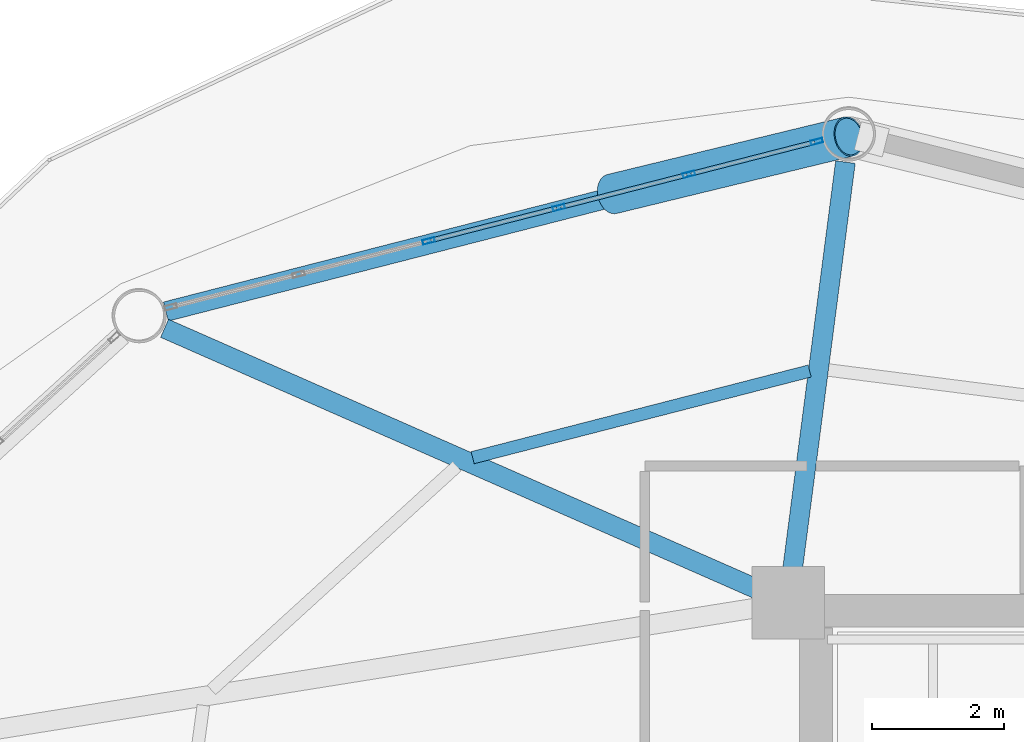
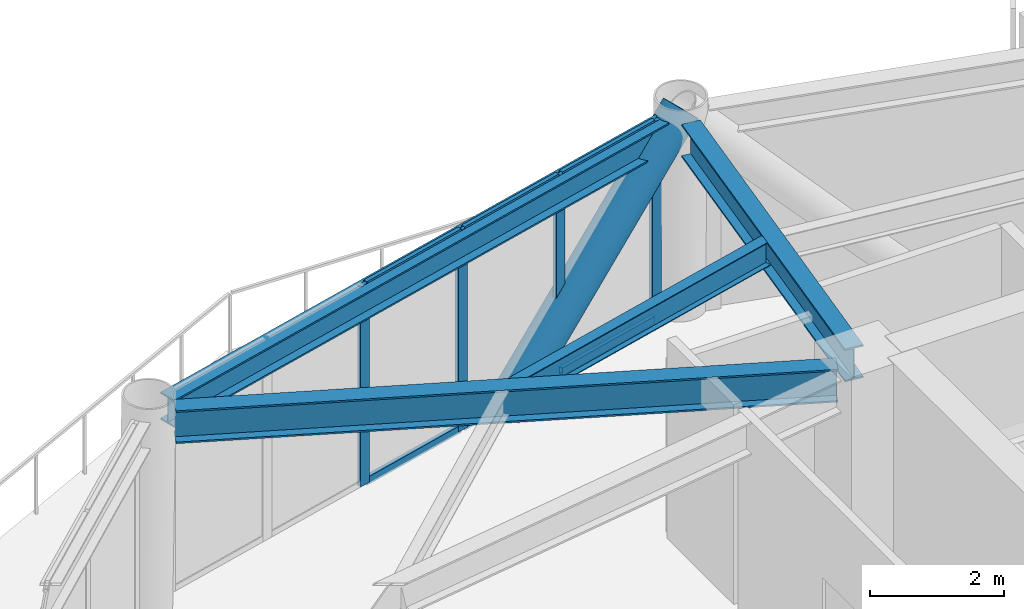
# One storey, part 17 of 26: 11 members, 4 beams, 1 element without a shape of its own.
"""IFC4 building model written with IfcOpenShell, lengths in metres."""

from ifc_helpers import new_model, si_unit, direction, frame, origin, origin_2d, place, context, subcontext, project, spatial, hollow_rectangle, hollow_circle, i_section, extrude, material, layer, layer_set, material_profile, profile_set, type_object, element, aggregate, save


model = new_model("IFC4")

# Units and contexts
model_context = context("Model", 3, precision=1e-05, world=origin(), true_north=direction((0.0, 1.0)))
body_context = subcontext(model_context, "Body", "Model", "MODEL_VIEW")
ifc_project = project(units=[si_unit("LENGTHUNIT", "METRE"), si_unit("AREAUNIT", "SQUARE_METRE"), si_unit("VOLUMEUNIT", "CUBIC_METRE"), si_unit("PLANEANGLEUNIT", "RADIAN"), si_unit("MASSUNIT", "GRAM", prefix="KILO")], contexts=[model_context])

# Site, building, storey
site_placement = place(None, origin())
site = spatial("IfcSite", under=ifc_project, at=site_placement, CompositionType="ELEMENT")
building_placement = place(site_placement, origin())
building = spatial("IfcBuilding", under=site, at=building_placement, Name="Varnakorn Sky Granary", CompositionType="ELEMENT")
storey_placement = place(building_placement, frame((0.0, 0.0, 95.39990234375)))
storey = spatial("IfcBuildingStorey", under=building, at=storey_placement, Name="L23", CompositionType="ELEMENT", Elevation=95.39990234375)

# Beams
ifc_material_1 = material(Name="Steel S355JR", Category="steel")
ifc_material_profile_1 = material_profile(ifc_material_1, i_section(OverallWidth=0.300048828125, OverallDepth=0.60009765625, WebThickness=0.015380859375, FlangeThickness=0.030029296875, at=origin_2d()), Name="HE 600 B")
ifc_profile_set_1 = profile_set([ifc_material_profile_1], Name="Steel S355JR")
beam_type_1 = type_object("IfcBeamType", Name="BM-RAD-Z2", PredefinedType="BEAM", material=ifc_profile_set_1)
beam_1_placement = place(storey_placement, frame((-2.365966796875, 13.03662109375, 3.340087890625), z_axis=(0.128757572305, 0.991676100133, 0.0), x_axis=(-0.991676100133, 0.128757572305, 0.0)))
element("IfcBeam", 1, at=beam_1_placement, inside=storey, type_object=beam_type_1, Name="Radial Floor Girder RG04 L23", PredefinedType="BEAM", context=body_context, shape_type="SweptSolid", body=[
    extrude(i_section(OverallWidth=0.300048828125, OverallDepth=0.60009765625, WebThickness=0.015380859375, FlangeThickness=0.030029296875, at=origin_2d()), origin(), (0.0, 0.0, 1.0), 6.3349609375),
])
beam_2_placement = place(storey_placement, frame((-2.804443359375, 12.789306640625, 3.340087890625), z_axis=(-0.915277712555, 0.40282342149, 0.0), x_axis=(-0.40282342149, -0.915277712555, 0.0)))
element("IfcBeam", 2, at=beam_2_placement, inside=storey, type_object=beam_type_1, Name="Radial Floor Girder RG05 L23", PredefinedType="BEAM", context=body_context, shape_type="SweptSolid", body=[
    extrude(i_section(OverallWidth=0.300048828125, OverallDepth=0.60009765625, WebThickness=0.015380859375, FlangeThickness=0.030029296875, at=origin_2d()), origin(), (0.0, 0.0, 1.0), 9.9365234375),
])
ifc_material_profile_2 = material_profile(ifc_material_1, i_section(OverallWidth=0.18994140625, OverallDepth=0.449951171875, WebThickness=0.009521484375, FlangeThickness=0.0146484375, at=origin_2d()), Name="IPE 450")
ifc_profile_set_2 = profile_set([ifc_material_profile_2], Name="Steel S355JR")
beam_type_2 = type_object("IfcBeamType", Name="BM-SEC-Z2", PredefinedType="BEAM", material=ifc_profile_set_2)
beam_3_placement = place(storey_placement, frame((-2.09375, 16.142822265625, 3.4150390625), z_axis=(-0.968485934303, -0.249068253813, 0.0), x_axis=(0.249068253813, -0.968485934303, 0.0)))
element("IfcBeam", 3, at=beam_3_placement, inside=storey, type_object=beam_type_2, Name="Secondary Floor Chord Beam MSB04 L23", PredefinedType="BEAM", context=body_context, shape_type="SweptSolid", body=[
    extrude(i_section(OverallWidth=0.18994140625, OverallDepth=0.449951171875, WebThickness=0.009521484375, FlangeThickness=0.0146484375, at=origin_2d()), origin(), (0.0, 0.0, 1.0), 5.289306640625),
])
ifc_material_profile_3 = material_profile(ifc_material_1, i_section(OverallWidth=0.300048828125, OverallDepth=0.5, WebThickness=0.014404296875, FlangeThickness=0.028076171875, at=origin_2d()), Name="HE 500 B")
ifc_profile_set_3 = profile_set([ifc_material_profile_3], Name="Steel S355JR")
beam_type_3 = type_object("IfcBeamType", Name="BM-SPD-Z2", PredefinedType="SPANDREL", material=ifc_profile_set_3)
beam_4_placement = place(storey_placement, frame((-1.879150390625, 19.60986328125, 3.39013671875), z_axis=(-0.968691144686, -0.248268939272, 0.0), x_axis=(0.248268939272, -0.968691144686, 0.0)))
element("IfcBeam", 4, at=beam_4_placement, inside=storey, type_object=beam_type_3, Name="Perimeter Spandrel Ring Beam RB04 L23", PredefinedType="SPANDREL", context=body_context, shape_type="SweptSolid", body=[
    extrude(i_section(OverallWidth=0.300048828125, OverallDepth=0.5, WebThickness=0.014404296875, FlangeThickness=0.028076171875, at=origin_2d()), origin(), (0.0, 0.0, 1.0), 10.322509765625),
])

# Curtain wall, members
ifc_material_2 = material(Name="Anodised Bronze Aluminium Alloy 6063-T6", Category="aluminium")
ifc_layer = layer(ifc_material_2, 0.18994140625, Name="Anodised Bronze Aluminium Alloy 6063-T6")
ifc_layer_set = layer_set([ifc_layer], Name="Anodised Bronze Aluminium Alloy 6063-T6")
curtain_wall_type = type_object("IfcCurtainWallType", Name="CW-FRM-1", PredefinedType="USERDEFINED", material=ifc_layer_set)
curtain_wall_placement = place(storey_placement, origin())
curtain_wall = element("IfcCurtainWall", 5, at=curtain_wall_placement, inside=storey, type_object=curtain_wall_type, Name="Unitised Curtain Wall CW3 CW-L23-B04", ObjectType="CURTAIN WALL", PredefinedType="USERDEFINED")
ifc_material_profile_4 = material_profile(ifc_material_2, hollow_rectangle(XDim=0.070068359375, YDim=0.18505859375, WallThickness=0.00390625, at=origin_2d()), Name="ALU MULL 70x185")
ifc_profile_set_4 = profile_set([ifc_material_profile_4], Name="Anodised Bronze Aluminium Alloy 6063-T6")
member_type_1 = type_object("IfcMemberType", Name="CW-FRM-1-MULL", PredefinedType="MULLION", material=ifc_profile_set_4)
member_1_placement = place(storey_placement, frame((-7.88427734375, 18.119873046875, 0.0), z_axis=(0.0, 0.0, 1.0), x_axis=(-0.248101423339, 0.968734062443, 0.0)))
member_1 = element("IfcMember", 6, at=member_1_placement, type_object=member_type_1, Name="CW3 mullion 3", PredefinedType="MULLION", context=body_context, shape_type="SweptSolid", body=[
    extrude(hollow_rectangle(XDim=0.070068359375, YDim=0.18505859375, WallThickness=0.00390625, at=origin_2d()), origin(), (0.0, 0.0, 1.0), 3.64013671875),
])
member_2_placement = place(storey_placement, frame((-5.90673828125, 18.62646484375, 0.0), z_axis=(0.0, 0.0, 1.0), x_axis=(-0.248101423339, 0.968734062443, 0.0)))
member_2 = element("IfcMember", 7, at=member_2_placement, type_object=member_type_1, Name="CW3 mullion 4", PredefinedType="MULLION", context=body_context, shape_type="SweptSolid", body=[
    extrude(hollow_rectangle(XDim=0.070068359375, YDim=0.18505859375, WallThickness=0.00390625, at=origin_2d()), origin(), (0.0, 0.0, 1.0), 3.64013671875),
])
member_3_placement = place(storey_placement, frame((-3.929443359375, 19.1328125, 0.0), z_axis=(0.0, 0.0, 1.0), x_axis=(-0.248101423339, 0.968734062443, 0.0)))
member_3 = element("IfcMember", 8, at=member_3_placement, type_object=member_type_1, Name="CW3 mullion 5", PredefinedType="MULLION", context=body_context, shape_type="SweptSolid", body=[
    extrude(hollow_rectangle(XDim=0.070068359375, YDim=0.18505859375, WallThickness=0.00390625, at=origin_2d()), origin(), (0.0, 0.0, 1.0), 3.64013671875),
])
member_4_placement = place(storey_placement, frame((-1.98583984375, 19.630615234375, 0.0), z_axis=(0.0, 0.0, 1.0), x_axis=(-0.248101423339, 0.968734062443, 0.0)))
member_4 = element("IfcMember", 9, at=member_4_placement, type_object=member_type_1, Name="CW3 mullion 6", PredefinedType="MULLION", context=body_context, shape_type="SweptSolid", body=[
    extrude(hollow_rectangle(XDim=0.070068359375, YDim=0.18505859375, WallThickness=0.00390625, at=origin_2d()), origin(), (0.0, 0.0, 1.0), 3.64013671875),
])
ifc_material_profile_5 = material_profile(ifc_material_2, hollow_rectangle(XDim=0.070068359375, YDim=0.139892578125, WallThickness=0.00341796875, at=origin_2d()), Name="ALU TRAN 70x140")
ifc_profile_set_5 = profile_set([ifc_material_profile_5], Name="Anodised Bronze Aluminium Alloy 6063-T6")
member_type_2 = type_object("IfcMemberType", Name="CW-FRM-1-TRAN", PredefinedType="USERDEFINED", material=ifc_profile_set_5)
member_5_placement = place(storey_placement, frame((-7.850341796875, 18.128662109375, 0.03515625), z_axis=(0.968742511992, 0.248068428985, 0.0), x_axis=(-0.248068428985, 0.968742511992, 0.0)))
member_5 = element("IfcMember", 10, at=member_5_placement, type_object=member_type_2, Name="CW3 transom 3.1", ObjectType="TRANSOM", PredefinedType="USERDEFINED", context=body_context, shape_type="SweptSolid", body=[
    extrude(hollow_rectangle(XDim=0.070068359375, YDim=0.139892578125, WallThickness=0.00341796875, at=origin_2d()), origin(), (0.0, 0.0, 1.0), 1.97119140625),
])
member_6_placement = place(storey_placement, frame((-7.850341796875, 18.128662109375, 3.60498046875), z_axis=(0.968742511992, 0.248068428985, 0.0), x_axis=(-0.248068428985, 0.968742511992, 0.0)))
member_6 = element("IfcMember", 11, at=member_6_placement, type_object=member_type_2, Name="CW3 transom 3.2", ObjectType="TRANSOM", PredefinedType="USERDEFINED", context=body_context, shape_type="SweptSolid", body=[
    extrude(hollow_rectangle(XDim=0.070068359375, YDim=0.139892578125, WallThickness=0.00341796875, at=origin_2d()), origin(), (0.0, 0.0, 1.0), 1.97119140625),
])
member_7_placement = place(storey_placement, frame((-5.872802734375, 18.635009765625, 0.03515625), z_axis=(0.968712743367, 0.248184650691, 0.0), x_axis=(-0.248184650691, 0.968712743367, 0.0)))
member_7 = element("IfcMember", 12, at=member_7_placement, type_object=member_type_2, Name="CW3 transom 4.1", ObjectType="TRANSOM", PredefinedType="USERDEFINED", context=body_context, shape_type="SweptSolid", body=[
    extrude(hollow_rectangle(XDim=0.070068359375, YDim=0.139892578125, WallThickness=0.00341796875, at=origin_2d()), origin(), (0.0, 0.0, 1.0), 1.971435546875),
])
member_8_placement = place(storey_placement, frame((-5.872802734375, 18.635009765625, 3.60498046875), z_axis=(0.968712743367, 0.248184650691, 0.0), x_axis=(-0.248184650691, 0.968712743367, 0.0)))
member_8 = element("IfcMember", 13, at=member_8_placement, type_object=member_type_2, Name="CW3 transom 4.2", ObjectType="TRANSOM", PredefinedType="USERDEFINED", context=body_context, shape_type="SweptSolid", body=[
    extrude(hollow_rectangle(XDim=0.070068359375, YDim=0.139892578125, WallThickness=0.00341796875, at=origin_2d()), origin(), (0.0, 0.0, 1.0), 1.971435546875),
])
member_9_placement = place(storey_placement, frame((-3.8955078125, 19.1416015625, 0.03515625), z_axis=(0.96875481034, 0.248020397233, 0.0), x_axis=(-0.248020397233, 0.96875481034, 0.0)))
member_9 = element("IfcMember", 14, at=member_9_placement, type_object=member_type_2, Name="CW3 transom 5.1", ObjectType="TRANSOM", PredefinedType="USERDEFINED", context=body_context, shape_type="SweptSolid", body=[
    extrude(hollow_rectangle(XDim=0.070068359375, YDim=0.139892578125, WallThickness=0.00341796875, at=origin_2d()), origin(), (0.0, 0.0, 1.0), 1.936279296875),
])
member_10_placement = place(storey_placement, frame((-3.8955078125, 19.1416015625, 3.60498046875), z_axis=(0.96875481034, 0.248020397233, 0.0), x_axis=(-0.248020397233, 0.96875481034, 0.0)))
member_10 = element("IfcMember", 15, at=member_10_placement, type_object=member_type_2, Name="CW3 transom 5.2", ObjectType="TRANSOM", PredefinedType="USERDEFINED", context=body_context, shape_type="SweptSolid", body=[
    extrude(hollow_rectangle(XDim=0.070068359375, YDim=0.139892578125, WallThickness=0.00341796875, at=origin_2d()), origin(), (0.0, 0.0, 1.0), 1.936279296875),
])
aggregate(curtain_wall, [member_1, member_2, member_3, member_4, member_5, member_6, member_7, member_8, member_9, member_10])

# Member
ifc_material_3 = material(Name="Steel S460M", Category="steel")
ifc_material_profile_6 = material_profile(ifc_material_3, hollow_circle(Radius=0.304931640625, WallThickness=0.022216796875, at=origin_2d()), Name="CHS 610x22")
ifc_profile_set_6 = profile_set([ifc_material_profile_6], Name="Steel S460M")
member_type_3 = type_object("IfcMemberType", Name="MB-DIAG-T1", PredefinedType="BRACE", material=ifc_profile_set_6)
member_11_placement = place(storey_placement, frame((-5.096923828125, 18.833740234375, -0.1298828125), z_axis=(0.680806572136, 0.165291869173, 0.713569204298), x_axis=(-0.235934152698, 0.971769044367, 0.0)))
element("IfcMember", 16, at=member_11_placement, inside=storey, type_object=member_type_3, Name="Perimeter CHS Diagrid Brace DG04 L23", PredefinedType="BRACE", context=body_context, shape_type="SweptSolid", body=[
    extrude(hollow_circle(Radius=0.304931640625, WallThickness=0.022216796875, at=origin_2d()), origin(), (0.0, 0.0, 1.0), 5.283447265625),
])

save(model, "model.ifc")
